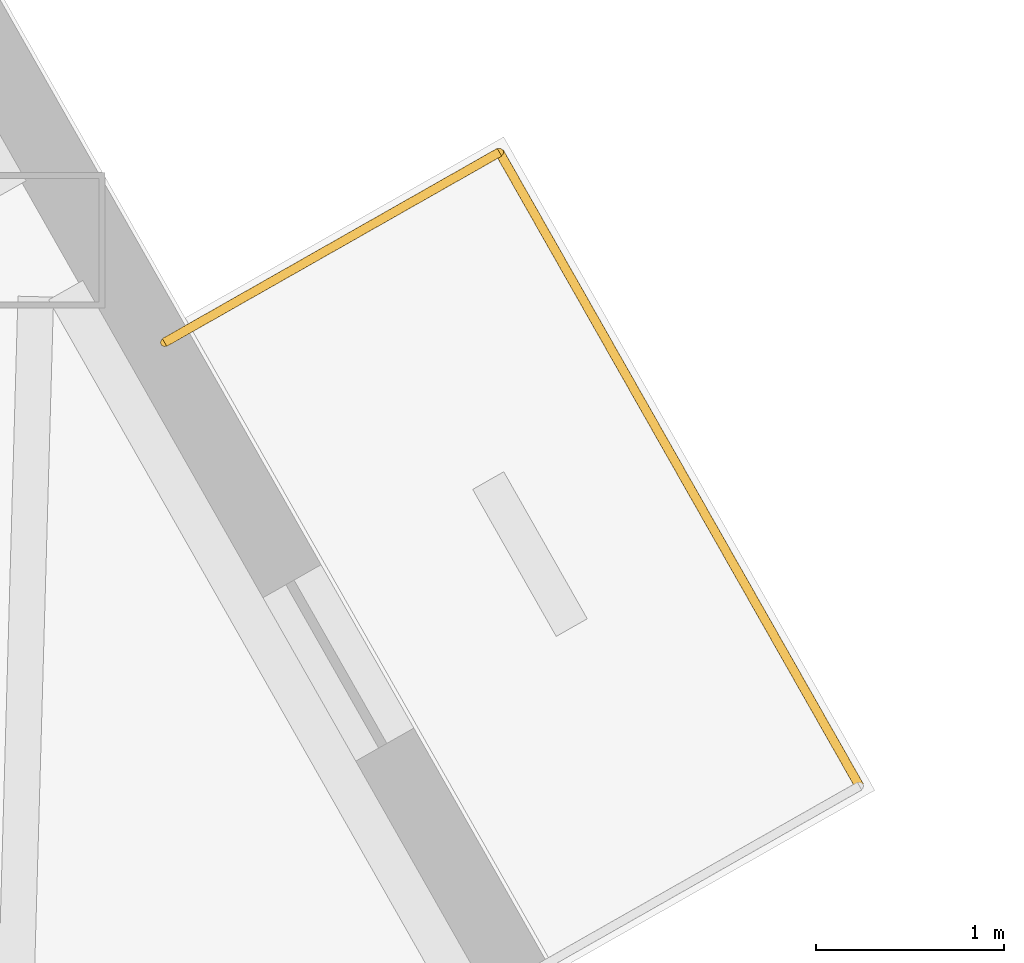
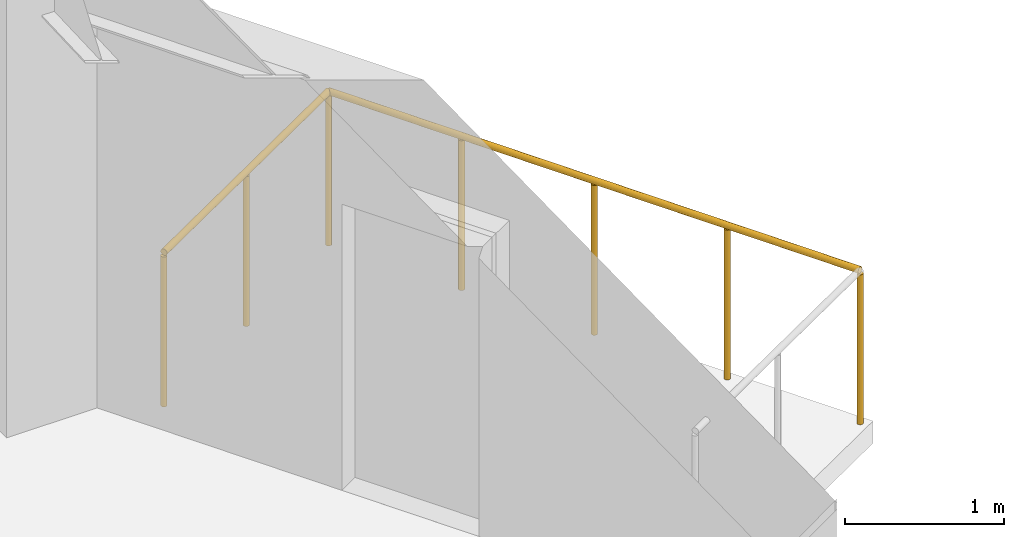
# One storey, part 11 of 11: 2 railings.
"""IFC4 building model written with IfcOpenShell, lengths in metres."""

from ifc_helpers import new_model, si_unit, direction, frame, origin, origin_2d, place, context, subcontext, project, spatial, circle, extrude, material, type_object, element, save


model = new_model("IFC4")

# Units and contexts
model_context = context("Model", 3, precision=1e-05, world=origin(), true_north=direction((0.0, 1.0)))
body_context = subcontext(model_context, "Body", "Model", "MODEL_VIEW")
ifc_project = project(units=[si_unit("LENGTHUNIT", "METRE"), si_unit("AREAUNIT", "SQUARE_METRE"), si_unit("VOLUMEUNIT", "CUBIC_METRE"), si_unit("PLANEANGLEUNIT", "RADIAN"), si_unit("MASSUNIT", "GRAM", prefix="KILO")], contexts=[model_context])

# Site, building, storey
site_placement = place(None, origin())
site = spatial("IfcSite", under=ifc_project, at=site_placement, CompositionType="ELEMENT")
building_placement = place(site_placement, origin())
building = spatial("IfcBuilding", under=site, at=building_placement, Name="Kavelnor Concourse Tower", CompositionType="ELEMENT")
storey_placement = place(building_placement, frame((0.0, 0.0, 89.35009765625)))
storey = spatial("IfcBuildingStorey", under=building, at=storey_placement, Name="L22", CompositionType="ELEMENT", Elevation=89.35009765625)

# Railings
ifc_material = material(Name="Architectural bronze-anodised aluminium", Category="aluminium")
railing_type = type_object("IfcRailingType", Name="RLG-TERRACE-1200", PredefinedType="BALUSTRADE", material=ifc_material)
railing_1_placement = place(storey_placement, frame((51.484619140625, 36.12939453125, 0.0)))
element("IfcRailing", 1, at=railing_1_placement, inside=storey, type_object=railing_type, Name="L22 Tree Balcony 2 Guardrail F", PredefinedType="BALUSTRADE", context=body_context, shape_type="SweptSolid", body=[
    extrude(circle(Radius=0.02392578125, at=origin_2d()), frame((0.0, 0.0, 1.17578125), z_axis=(-0.493880755744, 0.869529642454, 0.0), x_axis=(-0.869529642454, -0.493880755744, 0.0)), (0.0, 0.0, 1.0), 3.880126953125),
    extrude(circle(Radius=0.02099609375, at=origin_2d()), origin(), (0.0, 0.0, 1.0), 1.15185546875),
    extrude(circle(Radius=0.02099609375, at=origin_2d()), frame((-0.47900390625, 0.843505859375, 0.0)), (0.0, 0.0, 1.0), 1.15185546875),
    extrude(circle(Radius=0.02099609375, at=origin_2d()), frame((-0.9580078125, 1.68701171875, 0.0)), (0.0, 0.0, 1.0), 1.15185546875),
    extrude(circle(Radius=0.02099609375, at=origin_2d()), frame((-1.437255859375, 2.5302734375, 0.0)), (0.0, 0.0, 1.0), 1.15185546875),
    extrude(circle(Radius=0.02099609375, at=origin_2d()), frame((-1.916259765625, 3.373779296875, 0.0)), (0.0, 0.0, 1.0), 1.15185546875),
])
railing_2_placement = place(storey_placement, frame((49.568359375, 39.503173828125, 0.0)))
element("IfcRailing", 2, at=railing_2_placement, inside=storey, type_object=railing_type, Name="L22 Tree Balcony 2 Guardrail R", PredefinedType="BALUSTRADE", context=body_context, shape_type="SweptSolid", body=[
    extrude(circle(Radius=0.02392578125, at=origin_2d()), frame((0.0, 0.0, 1.17578125), z_axis=(-0.86955186426, -0.493841629839, 0.0), x_axis=(0.493841629839, -0.86955186426, 0.0)), (0.0, 0.0, 1.0), 2.050048828125),
    extrude(circle(Radius=0.02099609375, at=origin_2d()), origin(), (0.0, 0.0, 1.0), 1.15185546875),
    extrude(circle(Radius=0.02099609375, at=origin_2d()), frame((-0.891357421875, -0.50634765625, 0.0)), (0.0, 0.0, 1.0), 1.15185546875),
    extrude(circle(Radius=0.02099609375, at=origin_2d()), frame((-1.78271484375, -1.012451171875, 0.0)), (0.0, 0.0, 1.0), 1.15185546875),
])

save(model, "model.ifc")
